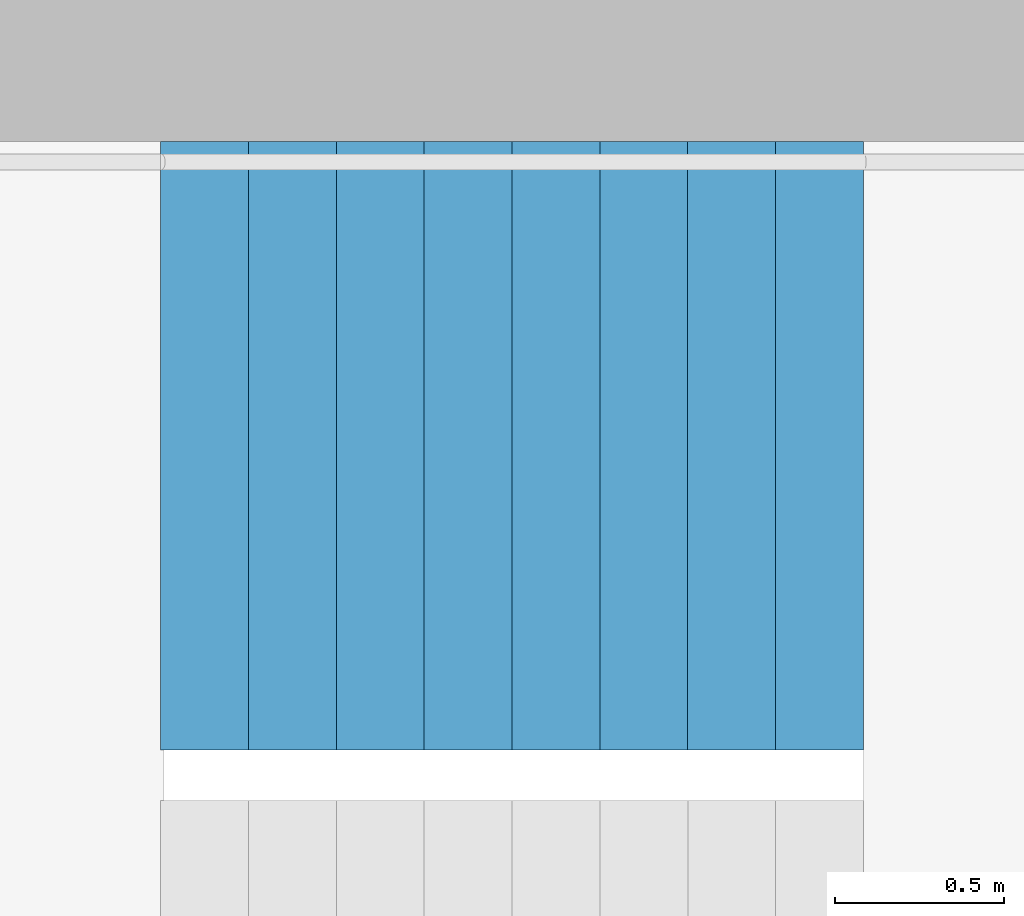
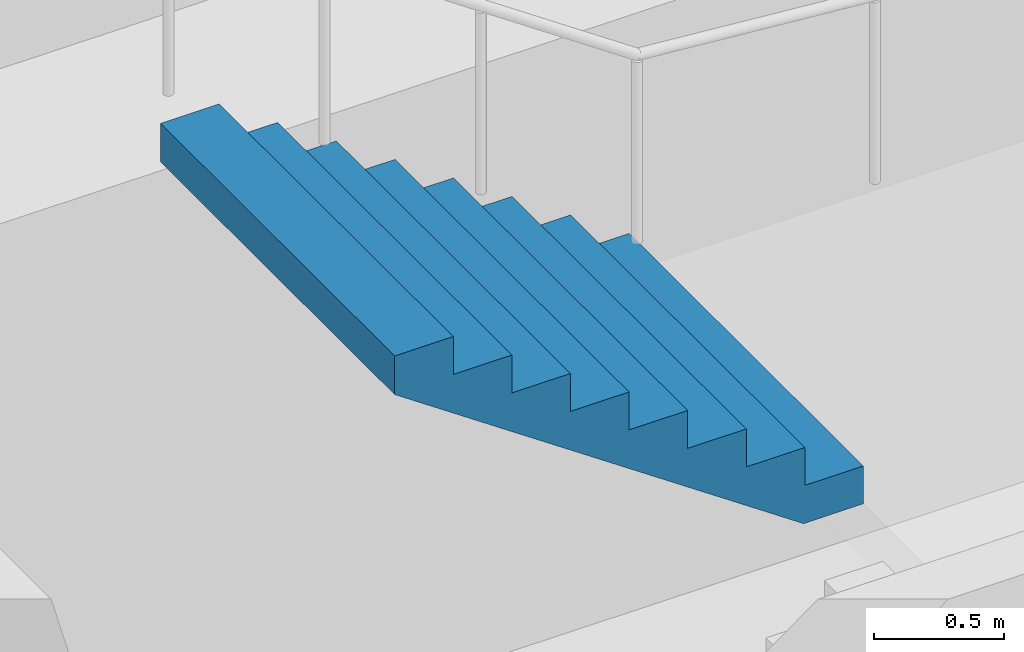
# One storey, part 24 of 29: 1 stair flight, 1 element without a shape of its own.
"""IFC4 building model written with IfcOpenShell, lengths in metres."""

from ifc_helpers import new_model, si_unit, direction, frame, origin, place, context, subcontext, project, spatial, triangles, material, type_object, element, aggregate, save


model = new_model("IFC4")

# Units and contexts
model_context = context("Model", 3, precision=1e-05, world=origin(), true_north=direction((0.0, 1.0)))
body_context = subcontext(model_context, "Body", "Model", "MODEL_VIEW")
ifc_project = project(units=[si_unit("LENGTHUNIT", "METRE"), si_unit("AREAUNIT", "SQUARE_METRE"), si_unit("VOLUMEUNIT", "CUBIC_METRE"), si_unit("PLANEANGLEUNIT", "RADIAN"), si_unit("MASSUNIT", "GRAM", prefix="KILO")], contexts=[model_context])

# Site, building, storey
site_placement = place(None, origin())
site = spatial("IfcSite", under=ifc_project, at=site_placement, CompositionType="ELEMENT")
building_placement = place(site_placement, origin())
building = spatial("IfcBuilding", under=site, at=building_placement, Name="Hakoniwa Tower and Hamabe Station Hall", CompositionType="ELEMENT")
storey_placement = place(building_placement, frame((0.0, 0.0, 23.0)))
storey = spatial("IfcBuildingStorey", under=building, at=storey_placement, Name="L05", CompositionType="ELEMENT", Elevation=23.0)

# Stair, stair flight
ifc_material_1 = material(Name="Concrete C40", Category="concrete")
stair_type = type_object("IfcStairType", Name="ESCAPE STAIR 1800", PredefinedType="HALF_TURN_STAIR", material=ifc_material_1)
stair_placement = place(storey_placement, origin())
stair = element("IfcStair", 1, at=stair_placement, inside=storey, type_object=stair_type, Name="Escape stair ST-1 L05", PredefinedType="HALF_TURN_STAIR")
ifc_material_2 = material(Name="Concrete C40", Category="concrete")
stair_flight_type = type_object("IfcStairFlightType", Name="STAIR FLIGHT 1800", PredefinedType="STRAIGHT", material=ifc_material_2)
stair_flight_placement = place(storey_placement, frame((-22.320068359375, 6.60009765625, 1.60009765625), z_axis=(0.0, 0.0, 1.0), x_axis=(-1.0, 0.0, 0.0)))
stair_flight = element("IfcStairFlight", 2, at=stair_flight_placement, type_object=stair_flight_type, Name="ST-1 flight 2", NumberOfRisers=9, NumberOfTreads=8, PredefinedType="STRAIGHT", RiserHeight=0.177777778, TreadLength=0.26, context=body_context, shape_type="Tessellation", body=[
    triangles([(0.0, 0.89990234375, 0.0), (0.260009765625, 0.89990234375, 0.0), (0.265625, 0.89990234375, 0.0), (0.52001953125, 0.89990234375, 0.174072265625), (0.780029296875, 0.89990234375, 0.351806640625), (1.0400390625, 0.89990234375, 0.529541015625), (1.300048828125, 0.89990234375, 0.707275390625), (1.56005859375, 0.89990234375, 0.885009765625), (1.820068359375, 0.89990234375, 1.062744140625), (2.080078125, 0.89990234375, 1.24072265625), (2.080078125, 0.89990234375, 1.422119140625), (1.820068359375, 0.89990234375, 1.422119140625), (1.820068359375, 0.89990234375, 1.244384765625), (1.56005859375, 0.89990234375, 1.244384765625), (1.56005859375, 0.89990234375, 1.066650390625), (1.300048828125, 0.89990234375, 1.066650390625), (1.300048828125, 0.89990234375, 0.888916015625), (1.0400390625, 0.89990234375, 0.888916015625), (1.0400390625, 0.89990234375, 0.711181640625), (0.780029296875, 0.89990234375, 0.711181640625), (0.780029296875, 0.89990234375, 0.533447265625), (0.52001953125, 0.89990234375, 0.533447265625), (0.52001953125, 0.89990234375, 0.35546875), (0.265625, 0.89990234375, 0.35546875), (0.260009765625, 0.89990234375, 0.35546875), (0.260009765625, 0.89990234375, 0.177734375), (0.0, 0.89990234375, 0.177734375), (0.0, 0.06005859375, 0.0), (0.260009765625, 0.06005859375, 0.0), (0.265625, 0.06005859375, 0.0), (0.52001953125, 0.06005859375, 0.174072265625), (0.780029296875, 0.06005859375, 0.351806640625), (1.0400390625, 0.06005859375, 0.529541015625), (1.300048828125, 0.06005859375, 0.707275390625), (1.56005859375, 0.06005859375, 0.885009765625), (1.820068359375, 0.06005859375, 1.062744140625), (2.080078125, 0.06005859375, 1.24072265625), (2.080078125, 0.06005859375, 1.422119140625), (1.820068359375, 0.06005859375, 1.422119140625), (1.820068359375, 0.06005859375, 1.244384765625), (1.56005859375, 0.06005859375, 1.244384765625), (1.56005859375, 0.06005859375, 1.066650390625), (1.300048828125, 0.06005859375, 1.066650390625), (1.300048828125, 0.06005859375, 0.888916015625), (1.0400390625, 0.06005859375, 0.888916015625), (1.0400390625, 0.06005859375, 0.711181640625), (0.780029296875, 0.06005859375, 0.711181640625), (0.780029296875, 0.06005859375, 0.533447265625), (0.52001953125, 0.06005859375, 0.533447265625), (0.52001953125, 0.06005859375, 0.35546875), (0.265625, 0.06005859375, 0.35546875), (0.260009765625, 0.06005859375, 0.35546875), (0.260009765625, 0.06005859375, 0.177734375), (0.0, 0.06005859375, 0.177734375), (0.0, 0.04296875, 0.0), (0.260009765625, 0.04296875, 0.0), (0.265625, 0.04296875, 0.0), (0.52001953125, 0.04296875, 0.174072265625), (0.780029296875, 0.04296875, 0.351806640625), (1.0400390625, 0.04296875, 0.529541015625), (1.300048828125, 0.04296875, 0.707275390625), (1.56005859375, 0.04296875, 0.885009765625), (1.820068359375, 0.04296875, 1.062744140625), (2.080078125, 0.04296875, 1.24072265625), (2.080078125, 0.04296875, 1.422119140625), (1.820068359375, 0.04296875, 1.422119140625), (1.820068359375, 0.04296875, 1.244384765625), (1.56005859375, 0.04296875, 1.244384765625), (1.56005859375, 0.04296875, 1.066650390625), (1.300048828125, 0.04296875, 1.066650390625), (1.300048828125, 0.04296875, 0.888916015625), (1.0400390625, 0.04296875, 0.888916015625), (1.0400390625, 0.04296875, 0.711181640625), (0.780029296875, 0.04296875, 0.711181640625), (0.780029296875, 0.04296875, 0.533447265625), (0.52001953125, 0.04296875, 0.533447265625), (0.52001953125, 0.04296875, 0.35546875), (0.265625, 0.04296875, 0.35546875), (0.260009765625, 0.04296875, 0.35546875), (0.260009765625, 0.04296875, 0.177734375), (0.0, 0.04296875, 0.177734375), (0.0, 0.025634765625, 0.0), (0.260009765625, 0.025634765625, 0.0), (0.265625, 0.025634765625, 0.0), (0.52001953125, 0.025634765625, 0.174072265625), (0.780029296875, 0.025634765625, 0.351806640625), (1.0400390625, 0.025634765625, 0.529541015625), (1.300048828125, 0.025634765625, 0.707275390625), (1.56005859375, 0.025634765625, 0.885009765625), (1.820068359375, 0.025634765625, 1.062744140625), (2.080078125, 0.025634765625, 1.24072265625), (2.080078125, 0.025634765625, 1.422119140625), (1.820068359375, 0.025634765625, 1.422119140625), (1.820068359375, 0.025634765625, 1.244384765625), (1.56005859375, 0.025634765625, 1.244384765625), (1.56005859375, 0.025634765625, 1.066650390625), (1.300048828125, 0.025634765625, 1.066650390625), (1.300048828125, 0.025634765625, 0.888916015625), (1.0400390625, 0.025634765625, 0.888916015625), (1.0400390625, 0.025634765625, 0.711181640625), (0.780029296875, 0.025634765625, 0.711181640625), (0.780029296875, 0.025634765625, 0.533447265625), (0.52001953125, 0.025634765625, 0.533447265625), (0.52001953125, 0.025634765625, 0.35546875), (0.265625, 0.025634765625, 0.35546875), (0.260009765625, 0.025634765625, 0.35546875), (0.260009765625, 0.025634765625, 0.177734375), (0.0, 0.025634765625, 0.177734375), (0.0, 0.008544921875, 0.0), (0.260009765625, 0.008544921875, 0.0), (0.265625, 0.008544921875, 0.0), (0.52001953125, 0.008544921875, 0.174072265625), (0.780029296875, 0.008544921875, 0.351806640625), (1.0400390625, 0.008544921875, 0.529541015625), (1.300048828125, 0.008544921875, 0.707275390625), (1.56005859375, 0.008544921875, 0.885009765625), (1.820068359375, 0.008544921875, 1.062744140625), (2.080078125, 0.008544921875, 1.24072265625), (2.080078125, 0.008544921875, 1.422119140625), (1.820068359375, 0.008544921875, 1.422119140625), (1.820068359375, 0.008544921875, 1.244384765625), (1.56005859375, 0.008544921875, 1.244384765625), (1.56005859375, 0.008544921875, 1.066650390625), (1.300048828125, 0.008544921875, 1.066650390625), (1.300048828125, 0.008544921875, 0.888916015625), (1.0400390625, 0.008544921875, 0.888916015625), (1.0400390625, 0.008544921875, 0.711181640625), (0.780029296875, 0.008544921875, 0.711181640625), (0.780029296875, 0.008544921875, 0.533447265625), (0.52001953125, 0.008544921875, 0.533447265625), (0.52001953125, 0.008544921875, 0.35546875), (0.265625, 0.008544921875, 0.35546875), (0.260009765625, 0.008544921875, 0.35546875), (0.260009765625, 0.008544921875, 0.177734375), (0.0, 0.008544921875, 0.177734375), (0.0, -0.008544921875, 0.0), (0.260009765625, -0.008544921875, 0.0), (0.265625, -0.008544921875, 0.0), (0.52001953125, -0.008544921875, 0.174072265625), (0.780029296875, -0.008544921875, 0.351806640625), (1.0400390625, -0.008544921875, 0.529541015625), (1.300048828125, -0.008544921875, 0.707275390625), (1.56005859375, -0.008544921875, 0.885009765625), (1.820068359375, -0.008544921875, 1.062744140625), (2.080078125, -0.008544921875, 1.24072265625), (2.080078125, -0.008544921875, 1.422119140625), (1.820068359375, -0.008544921875, 1.422119140625), (1.820068359375, -0.008544921875, 1.244384765625), (1.56005859375, -0.008544921875, 1.244384765625), (1.56005859375, -0.008544921875, 1.066650390625), (1.300048828125, -0.008544921875, 1.066650390625), (1.300048828125, -0.008544921875, 0.888916015625), (1.0400390625, -0.008544921875, 0.888916015625), (1.0400390625, -0.008544921875, 0.711181640625), (0.780029296875, -0.008544921875, 0.711181640625), (0.780029296875, -0.008544921875, 0.533447265625), (0.52001953125, -0.008544921875, 0.533447265625), (0.52001953125, -0.008544921875, 0.35546875), (0.265625, -0.008544921875, 0.35546875), (0.260009765625, -0.008544921875, 0.35546875), (0.260009765625, -0.008544921875, 0.177734375), (0.0, -0.008544921875, 0.177734375), (0.0, -0.025634765625, 0.0), (0.260009765625, -0.025634765625, 0.0), (0.265625, -0.025634765625, 0.0), (0.52001953125, -0.025634765625, 0.174072265625), (0.780029296875, -0.025634765625, 0.351806640625), (1.0400390625, -0.025634765625, 0.529541015625), (1.300048828125, -0.025634765625, 0.707275390625), (1.56005859375, -0.025634765625, 0.885009765625), (1.820068359375, -0.025634765625, 1.062744140625), (2.080078125, -0.025634765625, 1.24072265625), (2.080078125, -0.025634765625, 1.422119140625), (1.820068359375, -0.025634765625, 1.422119140625), (1.820068359375, -0.025634765625, 1.244384765625), (1.56005859375, -0.025634765625, 1.244384765625), (1.56005859375, -0.025634765625, 1.066650390625), (1.300048828125, -0.025634765625, 1.066650390625), (1.300048828125, -0.025634765625, 0.888916015625), (1.0400390625, -0.025634765625, 0.888916015625), (1.0400390625, -0.025634765625, 0.711181640625), (0.780029296875, -0.025634765625, 0.711181640625), (0.780029296875, -0.025634765625, 0.533447265625), (0.52001953125, -0.025634765625, 0.533447265625), (0.52001953125, -0.025634765625, 0.35546875), (0.265625, -0.025634765625, 0.35546875), (0.260009765625, -0.025634765625, 0.35546875), (0.260009765625, -0.025634765625, 0.177734375), (0.0, -0.025634765625, 0.177734375), (0.0, -0.04296875, 0.0), (0.260009765625, -0.04296875, 0.0), (0.265625, -0.04296875, 0.0), (0.52001953125, -0.04296875, 0.174072265625), (0.780029296875, -0.04296875, 0.351806640625), (1.0400390625, -0.04296875, 0.529541015625), (1.300048828125, -0.04296875, 0.707275390625), (1.56005859375, -0.04296875, 0.885009765625), (1.820068359375, -0.04296875, 1.062744140625), (2.080078125, -0.04296875, 1.24072265625), (2.080078125, -0.04296875, 1.422119140625), (1.820068359375, -0.04296875, 1.422119140625), (1.820068359375, -0.04296875, 1.244384765625), (1.56005859375, -0.04296875, 1.244384765625), (1.56005859375, -0.04296875, 1.066650390625), (1.300048828125, -0.04296875, 1.066650390625), (1.300048828125, -0.04296875, 0.888916015625), (1.0400390625, -0.04296875, 0.888916015625), (1.0400390625, -0.04296875, 0.711181640625), (0.780029296875, -0.04296875, 0.711181640625), (0.780029296875, -0.04296875, 0.533447265625), (0.52001953125, -0.04296875, 0.533447265625), (0.52001953125, -0.04296875, 0.35546875), (0.265625, -0.04296875, 0.35546875), (0.260009765625, -0.04296875, 0.35546875), (0.260009765625, -0.04296875, 0.177734375), (0.0, -0.04296875, 0.177734375), (0.0, -0.06005859375, 0.0), (0.260009765625, -0.06005859375, 0.0), (0.265625, -0.06005859375, 0.0), (0.52001953125, -0.06005859375, 0.174072265625), (0.780029296875, -0.06005859375, 0.351806640625), (1.0400390625, -0.06005859375, 0.529541015625), (1.300048828125, -0.06005859375, 0.707275390625), (1.56005859375, -0.06005859375, 0.885009765625), (1.820068359375, -0.06005859375, 1.062744140625), (2.080078125, -0.06005859375, 1.24072265625), (2.080078125, -0.06005859375, 1.422119140625), (1.820068359375, -0.06005859375, 1.422119140625), (1.820068359375, -0.06005859375, 1.244384765625), (1.56005859375, -0.06005859375, 1.244384765625), (1.56005859375, -0.06005859375, 1.066650390625), (1.300048828125, -0.06005859375, 1.066650390625), (1.300048828125, -0.06005859375, 0.888916015625), (1.0400390625, -0.06005859375, 0.888916015625), (1.0400390625, -0.06005859375, 0.711181640625), (0.780029296875, -0.06005859375, 0.711181640625), (0.780029296875, -0.06005859375, 0.533447265625), (0.52001953125, -0.06005859375, 0.533447265625), (0.52001953125, -0.06005859375, 0.35546875), (0.265625, -0.06005859375, 0.35546875), (0.260009765625, -0.06005859375, 0.35546875), (0.260009765625, -0.06005859375, 0.177734375), (0.0, -0.06005859375, 0.177734375), (0.0, -0.89990234375, 0.0), (0.260009765625, -0.89990234375, 0.0), (0.265625, -0.89990234375, 0.0), (0.52001953125, -0.89990234375, 0.174072265625), (0.780029296875, -0.89990234375, 0.351806640625), (1.0400390625, -0.89990234375, 0.529541015625), (1.300048828125, -0.89990234375, 0.707275390625), (1.56005859375, -0.89990234375, 0.885009765625), (1.820068359375, -0.89990234375, 1.062744140625), (2.080078125, -0.89990234375, 1.24072265625), (2.080078125, -0.89990234375, 1.422119140625), (1.820068359375, -0.89990234375, 1.422119140625), (1.820068359375, -0.89990234375, 1.244384765625), (1.56005859375, -0.89990234375, 1.244384765625), (1.56005859375, -0.89990234375, 1.066650390625), (1.300048828125, -0.89990234375, 1.066650390625), (1.300048828125, -0.89990234375, 0.888916015625), (1.0400390625, -0.89990234375, 0.888916015625), (1.0400390625, -0.89990234375, 0.711181640625), (0.780029296875, -0.89990234375, 0.711181640625), (0.780029296875, -0.89990234375, 0.533447265625), (0.52001953125, -0.89990234375, 0.533447265625), (0.52001953125, -0.89990234375, 0.35546875), (0.265625, -0.89990234375, 0.35546875), (0.260009765625, -0.89990234375, 0.35546875), (0.260009765625, -0.89990234375, 0.177734375), (0.0, -0.89990234375, 0.177734375)], [[2, 27, 26], [245, 269, 270], [2, 1, 27], [245, 270, 244], [3, 25, 24], [246, 267, 268], [3, 26, 25], [246, 268, 269], [3, 2, 26], [246, 269, 245], [4, 24, 23], [247, 266, 267], [4, 3, 24], [247, 267, 246], [5, 22, 21], [248, 264, 265], [5, 23, 22], [248, 265, 266], [5, 4, 23], [248, 266, 247], [6, 20, 19], [249, 262, 263], [6, 21, 20], [249, 263, 264], [6, 5, 21], [249, 264, 248], [7, 18, 17], [250, 260, 261], [7, 19, 18], [250, 261, 262], [7, 6, 19], [250, 262, 249], [8, 16, 15], [251, 258, 259], [8, 17, 16], [251, 259, 260], [8, 7, 17], [251, 260, 250], [9, 14, 13], [252, 256, 257], [9, 15, 14], [252, 257, 258], [9, 8, 15], [252, 258, 251], [10, 12, 11], [253, 254, 255], [10, 13, 12], [253, 255, 256], [10, 9, 13], [253, 256, 252], [1, 2, 29], [1, 29, 28], [28, 29, 56], [28, 56, 55], [55, 56, 83], [55, 83, 82], [82, 83, 110], [82, 110, 109], [109, 110, 137], [109, 137, 136], [136, 137, 164], [136, 164, 163], [163, 164, 191], [163, 191, 190], [190, 191, 218], [190, 218, 217], [217, 218, 245], [217, 245, 244], [2, 3, 30], [2, 30, 29], [29, 30, 57], [29, 57, 56], [56, 57, 84], [56, 84, 83], [83, 84, 111], [83, 111, 110], [110, 111, 138], [110, 138, 137], [137, 138, 165], [137, 165, 164], [164, 165, 192], [164, 192, 191], [191, 192, 219], [191, 219, 218], [218, 219, 246], [218, 246, 245], [3, 4, 31], [3, 31, 30], [30, 31, 58], [30, 58, 57], [57, 58, 85], [57, 85, 84], [84, 85, 112], [84, 112, 111], [111, 112, 139], [111, 139, 138], [138, 139, 166], [138, 166, 165], [165, 166, 193], [165, 193, 192], [192, 193, 220], [192, 220, 219], [219, 220, 247], [219, 247, 246], [4, 5, 32], [4, 32, 31], [31, 32, 59], [31, 59, 58], [58, 59, 86], [58, 86, 85], [85, 86, 113], [85, 113, 112], [112, 113, 140], [112, 140, 139], [139, 140, 167], [139, 167, 166], [166, 167, 194], [166, 194, 193], [193, 194, 221], [193, 221, 220], [220, 221, 248], [220, 248, 247], [5, 6, 33], [5, 33, 32], [32, 33, 60], [32, 60, 59], [59, 60, 87], [59, 87, 86], [86, 87, 114], [86, 114, 113], [113, 114, 141], [113, 141, 140], [140, 141, 168], [140, 168, 167], [167, 168, 195], [167, 195, 194], [194, 195, 222], [194, 222, 221], [221, 222, 249], [221, 249, 248], [6, 7, 34], [6, 34, 33], [33, 34, 61], [33, 61, 60], [60, 61, 88], [60, 88, 87], [87, 88, 115], [87, 115, 114], [114, 115, 142], [114, 142, 141], [141, 142, 169], [141, 169, 168], [168, 169, 196], [168, 196, 195], [195, 196, 223], [195, 223, 222], [222, 223, 250], [222, 250, 249], [7, 8, 35], [7, 35, 34], [34, 35, 62], [34, 62, 61], [61, 62, 89], [61, 89, 88], [88, 89, 116], [88, 116, 115], [115, 116, 143], [115, 143, 142], [142, 143, 170], [142, 170, 169], [169, 170, 197], [169, 197, 196], [196, 197, 224], [196, 224, 223], [223, 224, 251], [223, 251, 250], [8, 9, 36], [8, 36, 35], [35, 36, 63], [35, 63, 62], [62, 63, 90], [62, 90, 89], [89, 90, 117], [89, 117, 116], [116, 117, 144], [116, 144, 143], [143, 144, 171], [143, 171, 170], [170, 171, 198], [170, 198, 197], [197, 198, 225], [197, 225, 224], [224, 225, 252], [224, 252, 251], [9, 10, 37], [9, 37, 36], [36, 37, 64], [36, 64, 63], [63, 64, 91], [63, 91, 90], [90, 91, 118], [90, 118, 117], [117, 118, 145], [117, 145, 144], [144, 145, 172], [144, 172, 171], [171, 172, 199], [171, 199, 198], [198, 199, 226], [198, 226, 225], [225, 226, 253], [225, 253, 252], [10, 11, 38], [10, 38, 37], [37, 38, 65], [37, 65, 64], [64, 65, 92], [64, 92, 91], [91, 92, 119], [91, 119, 118], [118, 119, 146], [118, 146, 145], [145, 146, 173], [145, 173, 172], [172, 173, 200], [172, 200, 199], [199, 200, 227], [199, 227, 226], [226, 227, 254], [226, 254, 253], [11, 12, 39], [11, 39, 38], [38, 39, 66], [38, 66, 65], [65, 66, 93], [65, 93, 92], [92, 93, 120], [92, 120, 119], [119, 120, 147], [119, 147, 146], [146, 147, 174], [146, 174, 173], [173, 174, 201], [173, 201, 200], [200, 201, 228], [200, 228, 227], [227, 228, 255], [227, 255, 254], [12, 13, 40], [12, 40, 39], [39, 40, 67], [39, 67, 66], [66, 67, 94], [66, 94, 93], [93, 94, 121], [93, 121, 120], [120, 121, 148], [120, 148, 147], [147, 148, 175], [147, 175, 174], [174, 175, 202], [174, 202, 201], [201, 202, 229], [201, 229, 228], [228, 229, 256], [228, 256, 255], [13, 14, 41], [13, 41, 40], [40, 41, 68], [40, 68, 67], [67, 68, 95], [67, 95, 94], [94, 95, 122], [94, 122, 121], [121, 122, 149], [121, 149, 148], [148, 149, 176], [148, 176, 175], [175, 176, 203], [175, 203, 202], [202, 203, 230], [202, 230, 229], [229, 230, 257], [229, 257, 256], [14, 15, 42], [14, 42, 41], [41, 42, 69], [41, 69, 68], [68, 69, 96], [68, 96, 95], [95, 96, 123], [95, 123, 122], [122, 123, 150], [122, 150, 149], [149, 150, 177], [149, 177, 176], [176, 177, 204], [176, 204, 203], [203, 204, 231], [203, 231, 230], [230, 231, 258], [230, 258, 257], [15, 16, 43], [15, 43, 42], [42, 43, 70], [42, 70, 69], [69, 70, 97], [69, 97, 96], [96, 97, 124], [96, 124, 123], [123, 124, 151], [123, 151, 150], [150, 151, 178], [150, 178, 177], [177, 178, 205], [177, 205, 204], [204, 205, 232], [204, 232, 231], [231, 232, 259], [231, 259, 258], [16, 17, 44], [16, 44, 43], [43, 44, 71], [43, 71, 70], [70, 71, 98], [70, 98, 97], [97, 98, 125], [97, 125, 124], [124, 125, 152], [124, 152, 151], [151, 152, 179], [151, 179, 178], [178, 179, 206], [178, 206, 205], [205, 206, 233], [205, 233, 232], [232, 233, 260], [232, 260, 259], [17, 18, 45], [17, 45, 44], [44, 45, 72], [44, 72, 71], [71, 72, 99], [71, 99, 98], [98, 99, 126], [98, 126, 125], [125, 126, 153], [125, 153, 152], [152, 153, 180], [152, 180, 179], [179, 180, 207], [179, 207, 206], [206, 207, 234], [206, 234, 233], [233, 234, 261], [233, 261, 260], [18, 19, 46], [18, 46, 45], [45, 46, 73], [45, 73, 72], [72, 73, 100], [72, 100, 99], [99, 100, 127], [99, 127, 126], [126, 127, 154], [126, 154, 153], [153, 154, 181], [153, 181, 180], [180, 181, 208], [180, 208, 207], [207, 208, 235], [207, 235, 234], [234, 235, 262], [234, 262, 261], [19, 20, 47], [19, 47, 46], [46, 47, 74], [46, 74, 73], [73, 74, 101], [73, 101, 100], [100, 101, 128], [100, 128, 127], [127, 128, 155], [127, 155, 154], [154, 155, 182], [154, 182, 181], [181, 182, 209], [181, 209, 208], [208, 209, 236], [208, 236, 235], [235, 236, 263], [235, 263, 262], [20, 21, 48], [20, 48, 47], [47, 48, 75], [47, 75, 74], [74, 75, 102], [74, 102, 101], [101, 102, 129], [101, 129, 128], [128, 129, 156], [128, 156, 155], [155, 156, 183], [155, 183, 182], [182, 183, 210], [182, 210, 209], [209, 210, 237], [209, 237, 236], [236, 237, 264], [236, 264, 263], [21, 22, 49], [21, 49, 48], [48, 49, 76], [48, 76, 75], [75, 76, 103], [75, 103, 102], [102, 103, 130], [102, 130, 129], [129, 130, 157], [129, 157, 156], [156, 157, 184], [156, 184, 183], [183, 184, 211], [183, 211, 210], [210, 211, 238], [210, 238, 237], [237, 238, 265], [237, 265, 264], [22, 23, 50], [22, 50, 49], [49, 50, 77], [49, 77, 76], [76, 77, 104], [76, 104, 103], [103, 104, 131], [103, 131, 130], [130, 131, 158], [130, 158, 157], [157, 158, 185], [157, 185, 184], [184, 185, 212], [184, 212, 211], [211, 212, 239], [211, 239, 238], [238, 239, 266], [238, 266, 265], [23, 24, 51], [23, 51, 50], [50, 51, 78], [50, 78, 77], [77, 78, 105], [77, 105, 104], [104, 105, 132], [104, 132, 131], [131, 132, 159], [131, 159, 158], [158, 159, 186], [158, 186, 185], [185, 186, 213], [185, 213, 212], [212, 213, 240], [212, 240, 239], [239, 240, 267], [239, 267, 266], [24, 25, 52], [24, 52, 51], [51, 52, 79], [51, 79, 78], [78, 79, 106], [78, 106, 105], [105, 106, 133], [105, 133, 132], [132, 133, 160], [132, 160, 159], [159, 160, 187], [159, 187, 186], [186, 187, 214], [186, 214, 213], [213, 214, 241], [213, 241, 240], [240, 241, 268], [240, 268, 267], [25, 26, 53], [25, 53, 52], [52, 53, 80], [52, 80, 79], [79, 80, 107], [79, 107, 106], [106, 107, 134], [106, 134, 133], [133, 134, 161], [133, 161, 160], [160, 161, 188], [160, 188, 187], [187, 188, 215], [187, 215, 214], [214, 215, 242], [214, 242, 241], [241, 242, 269], [241, 269, 268], [26, 27, 54], [26, 54, 53], [53, 54, 81], [53, 81, 80], [80, 81, 108], [80, 108, 107], [107, 108, 135], [107, 135, 134], [134, 135, 162], [134, 162, 161], [161, 162, 189], [161, 189, 188], [188, 189, 216], [188, 216, 215], [215, 216, 243], [215, 243, 242], [242, 243, 270], [242, 270, 269], [27, 1, 28], [27, 28, 54], [54, 28, 55], [54, 55, 81], [81, 55, 82], [81, 82, 108], [108, 82, 109], [108, 109, 135], [135, 109, 136], [135, 136, 162], [162, 136, 163], [162, 163, 189], [189, 163, 190], [189, 190, 216], [216, 190, 217], [216, 217, 243], [243, 217, 244], [243, 244, 270]], closed=True),
])
aggregate(stair, [stair_flight])

save(model, "model.ifc")
